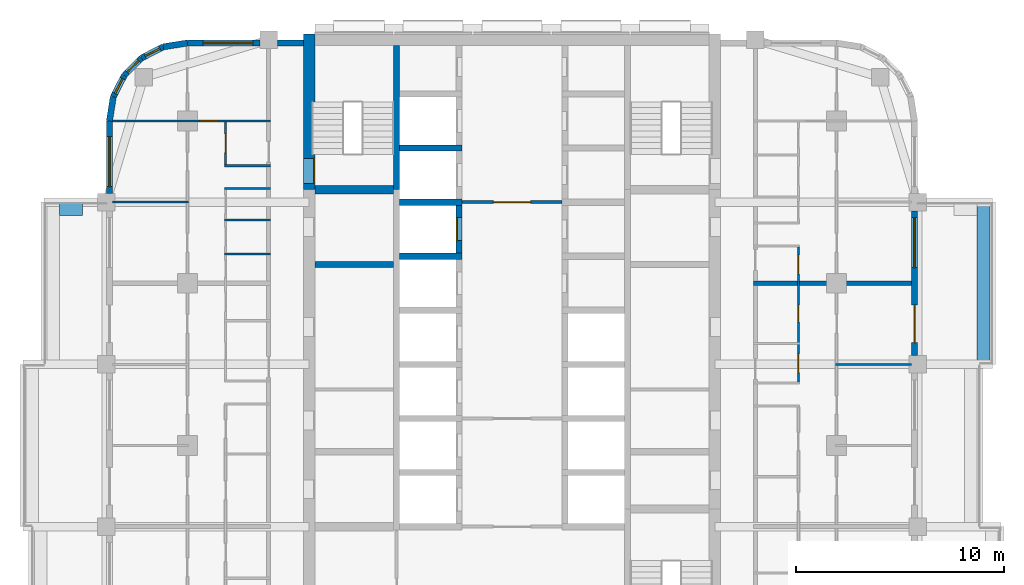
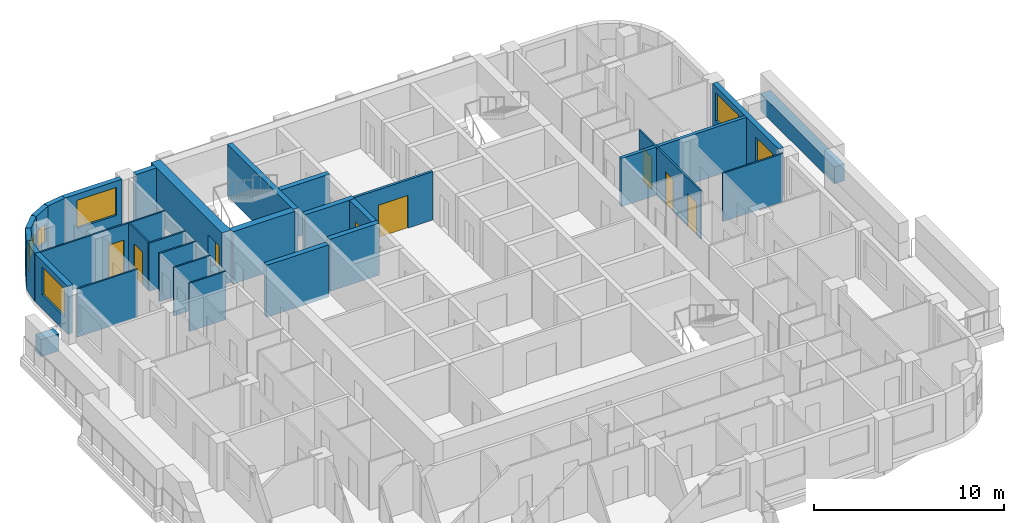
# One storey, part 8 of 14: 30 walls, 9 doors, 6 windows, 15 openings.
"""IFC4 building model written with IfcOpenShell, lengths in metres."""

from ifc_helpers import new_model, si_unit, direction, frame, frame_2d, origin, place, context, subcontext, project, spatial, rectangle, extrude, material, layer, layer_set, type_object, element, fill, save


model = new_model("IFC4")

# Units and contexts
model_context = context("Model", 3, precision=1e-05, world=origin(), true_north=direction((0.0, 1.0)))
body_context = subcontext(model_context, "Body", "Model", "MODEL_VIEW")
ifc_project = project(units=[si_unit("LENGTHUNIT", "METRE"), si_unit("AREAUNIT", "SQUARE_METRE"), si_unit("VOLUMEUNIT", "CUBIC_METRE"), si_unit("PLANEANGLEUNIT", "RADIAN"), si_unit("MASSUNIT", "GRAM", prefix="KILO")], contexts=[model_context])

# Site, building, storey
site_placement = place(None, origin())
site = spatial("IfcSite", under=ifc_project, at=site_placement, CompositionType="ELEMENT")
building_placement = place(site_placement, origin())
building = spatial("IfcBuilding", under=site, at=building_placement, Name="Ludao Terraces", CompositionType="ELEMENT")
storey_placement = place(building_placement, frame((0.0, 0.0, 113.5)))
storey = spatial("IfcBuildingStorey", under=building, at=storey_placement, Name="L31", CompositionType="ELEMENT", Elevation=113.5)

# Wall, opening, door
ifc_material_1 = material(Name="Concrete C60", Category="concrete")
ifc_layer_1 = layer(ifc_material_1, 0.550048828125)
ifc_layer_set_1 = layer_set([ifc_layer_1], Name="Core wall 550 C60")
wall_type_1 = type_object("IfcWallType", Name="Core wall 550 C60", PredefinedType="SOLIDWALL", material=ifc_layer_set_1)
wall_1_placement = place(storey_placement, frame((75.25, 77.300048828125, -0.25), z_axis=(0.0, 0.0, 1.0), x_axis=(0.0, 1.0, 0.0)))
wall_1 = element("IfcWall", 1, at=wall_1_placement, inside=storey, type_object=wall_type_1, Name="Core wall L31 outer-W-S1", PredefinedType="SOLIDWALL", context=body_context, shape_type="SweptSolid", body=[
    extrude(rectangle(XDim=7.474853515625, YDim=0.550048828125, at=frame_2d((3.7373046875, 0.0))), origin(), (0.0, 0.0, 1.0), 3.35009765625),
])
opening_1_placement = place(wall_1_placement, frame((0.300048828125, 0.0, 0.25)))
opening_1 = element("IfcOpeningElement", 2, at=opening_1_placement, cuts=wall_1, Name="Opening R09-087", PredefinedType="OPENING", context=body_context, shape_type="SweptSolid", body=[
    extrude(rectangle(XDim=1.199951171875, YDim=2.10009765625, at=frame_2d((0.60009765625, 1.050048828125))), frame((0.0, 0.28515625, 0.0), z_axis=(0.0, -1.0, 0.0), x_axis=(1.0, 0.0, 0.0)), (0.0, 0.0, 1.0), 0.570068359375),
])
ifc_material_2 = material(Name="Steel Q235", Category="steel")
door_type_1 = type_object("IfcDoorType", Name="INT Stair door 1200", OperationType="DOUBLE_DOOR_SINGLE_SWING", PredefinedType="DOOR", material=ifc_material_2)
door_1_placement = place(opening_1_placement, origin())
door_1 = element("IfcDoor", 3, at=door_1_placement, inside=storey, type_object=door_type_1, Name="DOOR 087", OperationType="DOUBLE_DOOR_SINGLE_SWING", OverallHeight=2.10009765625, OverallWidth=1.199951171875, PredefinedType="DOOR", context=body_context, shape_type="SweptSolid", body=[
    extrude(rectangle(XDim=1.199951171875, YDim=2.10009765625, at=frame_2d((0.60009765625, 1.050048828125))), frame((0.0, -0.2099609375, 0.0), z_axis=(0.0, -1.0, 0.0), x_axis=(1.0, 0.0, 0.0)), (0.0, 0.0, 1.0), 0.050048828125),
])
fill(opening_1, door_1)

# Walls
ifc_material_3 = material(Name="Concrete C40", Category="concrete")
ifc_layer_2 = layer(ifc_material_3, 0.60009765625)
ifc_layer_set_2 = layer_set([ifc_layer_2], Name="ENV Planter trough 600")
wall_type_2 = type_object("IfcWallType", Name="ENV Planter trough 600", PredefinedType="USERDEFINED", material=ifc_layer_set_2)
wall_2_placement = place(storey_placement, frame((107.64990234375, 68.89990234375, 0.0), z_axis=(0.0, 0.0, 1.0), x_axis=(0.0, 1.0, 0.0)))
element("IfcWall", 4, at=wall_2_placement, inside=storey, type_object=wall_type_2, Name="PL-L31-E3", ObjectType="PLANTER", PredefinedType="USERDEFINED", context=body_context, shape_type="SweptSolid", body=[
    extrude(rectangle(XDim=7.800048828125, YDim=0.60009765625, at=frame_2d((3.89990234375, 0.0))), origin(), (0.0, 0.0, 1.0), 1.10009765625),
])
wall_3_placement = place(storey_placement, frame((63.25, 76.35009765625, 0.0), z_axis=(0.0, 0.0, 1.0), x_axis=(1.0, 0.0, 0.0)))
element("IfcWall", 5, at=wall_3_placement, inside=storey, type_object=wall_type_2, Name="PL-L31-W3-SB", ObjectType="PLANTER", PredefinedType="USERDEFINED", context=body_context, shape_type="SweptSolid", body=[
    extrude(rectangle(XDim=1.10009765625, YDim=0.60009765625, at=frame_2d((0.550048828125, 0.0))), origin(), (0.0, 0.0, 1.0), 1.10009765625),
])

# Wall, openings, door, window
ifc_material_4 = material(Name="Granite cladding", Category="masonry")
ifc_layer_3 = layer(ifc_material_4, 0.0400390625, Category="stone")
ifc_material_5 = material(Name="Mineral wool")
ifc_layer_4 = layer(ifc_material_5, 0.06005859375)
ifc_layer_5 = layer(ifc_material_3, 0.199951171875, Category="concrete")
ifc_layer_set_3 = layer_set([ifc_layer_3, ifc_layer_4, ifc_layer_5], Name="ENV Stone-clad wall 300")
wall_type_3 = type_object("IfcWallType", Name="ENV Stone-clad wall 300", PredefinedType="SOLIDWALL", material=ifc_layer_set_3)
wall_4_placement = place(storey_placement, frame((104.35009765625, 69.324951171875, 0.0), z_axis=(0.0, 0.0, 1.0), x_axis=(0.0, 1.0, 0.0)))
wall_4 = element("IfcWall", 6, at=wall_4_placement, inside=storey, type_object=wall_type_3, Name="EW-L31-E4", PredefinedType="SOLIDWALL", context=body_context, shape_type="SweptSolid", body=[
    extrude(rectangle(XDim=6.949951171875, YDim=0.300048828125, at=frame_2d((3.47509765625, 0.0))), origin(), (0.0, 0.0, 1.0), 3.10009765625),
])
opening_2_placement = place(wall_4_placement, frame((0.625, 0.0, 0.0)))
opening_2 = element("IfcOpeningElement", 7, at=opening_2_placement, cuts=wall_4, Name="Opening BD", PredefinedType="OPENING", context=body_context, shape_type="SweptSolid", body=[
    extrude(rectangle(XDim=1.800048828125, YDim=2.39990234375, at=frame_2d((0.89990234375, 1.199951171875))), frame((0.0, 0.16015625, 0.0), z_axis=(0.0, -1.0, 0.0), x_axis=(1.0, 0.0, 0.0)), (0.0, 0.0, 1.0), 0.320068359375),
])
opening_3_placement = place(wall_4_placement, frame((4.22509765625, 0.0, 0.89990234375)))
opening_3 = element("IfcOpeningElement", 8, at=opening_3_placement, cuts=wall_4, Name="Opening W1", PredefinedType="OPENING", context=body_context, shape_type="SweptSolid", body=[
    extrude(rectangle(XDim=2.39990234375, YDim=1.800048828125, at=frame_2d((1.199951171875, 0.89990234375))), frame((0.0, 0.16015625, 0.0), z_axis=(0.0, -1.0, 0.0), x_axis=(1.0, 0.0, 0.0)), (0.0, 0.0, 1.0), 0.320068359375),
])
ifc_material_6 = material(Name="Aluminium glazed door", Category="aluminium")
ifc_layer_6 = layer(ifc_material_6, 0.06005859375)
ifc_layer_set_4 = layer_set([ifc_layer_6], Name="ENV Balcony door BD 1800x2400")
door_type_2 = type_object("IfcDoorType", Name="ENV Balcony door BD 1800x2400", OperationType="DOUBLE_DOOR_SINGLE_SWING", PredefinedType="DOOR", material=ifc_layer_set_4)
door_2_placement = place(opening_2_placement, origin())
door_2 = element("IfcDoor", 9, at=door_2_placement, inside=storey, type_object=door_type_2, Name="BD-L31-E4-1", OperationType="DOUBLE_DOOR_SINGLE_SWING", OverallHeight=2.39990234375, OverallWidth=1.800048828125, PredefinedType="DOOR", context=body_context, shape_type="SweptSolid", body=[
    extrude(rectangle(XDim=1.800048828125, YDim=2.39990234375, at=frame_2d((0.89990234375, 1.199951171875))), frame((0.0, 0.02490234375, 0.0), z_axis=(0.0, -1.0, 0.0), x_axis=(1.0, 0.0, 0.0)), (0.0, 0.0, 1.0), 0.050048828125),
])
fill(opening_2, door_2)
ifc_material_7 = material(Name="Clear glass in aluminium frame", Category="aluminium")
ifc_layer_7 = layer(ifc_material_7, 0.06005859375)
ifc_layer_set_5 = layer_set([ifc_layer_7], Name="ENV Window W1 2400x1800")
window_type_1 = type_object("IfcWindowType", Name="ENV Window W1 2400x1800", PartitioningType="DOUBLE_PANEL_VERTICAL", PredefinedType="WINDOW", material=ifc_layer_set_5)
window_1_placement = place(opening_3_placement, origin())
window_1 = element("IfcWindow", 10, at=window_1_placement, inside=storey, type_object=window_type_1, Name="W-L31-E4-2", OverallHeight=1.800048828125, OverallWidth=2.39990234375, PartitioningType="DOUBLE_PANEL_VERTICAL", PredefinedType="WINDOW", context=body_context, shape_type="SweptSolid", body=[
    extrude(rectangle(XDim=2.39990234375, YDim=1.800048828125, at=frame_2d((1.199951171875, 0.89990234375))), frame((0.0, 0.030029296875, 0.0), z_axis=(0.0, -1.0, 0.0), x_axis=(1.0, 0.0, 0.0)), (0.0, 0.0, 1.0), 0.06005859375),
])
fill(opening_3, window_1)

# Wall, opening, window
wall_5_placement = place(storey_placement, frame((69.39990234375, 84.35009765625, 0.0), z_axis=(0.0, 0.0, 1.0), x_axis=(1.0, 0.0, 0.0)))
wall_5 = element("IfcWall", 11, at=wall_5_placement, inside=storey, type_object=wall_type_3, Name="EW-L31-N1", PredefinedType="SOLIDWALL", context=body_context, shape_type="SweptSolid", body=[
    extrude(rectangle(XDim=3.47509765625, YDim=0.300048828125, at=frame_2d((1.737548828125, 0.0))), origin(), (0.0, 0.0, 1.0), 3.10009765625),
])
opening_4_placement = place(wall_5_placement, frame((0.75, 0.0, 0.89990234375)))
opening_4 = element("IfcOpeningElement", 12, at=opening_4_placement, cuts=wall_5, Name="Opening W1", PredefinedType="OPENING", context=body_context, shape_type="SweptSolid", body=[
    extrude(rectangle(XDim=2.39990234375, YDim=1.800048828125, at=frame_2d((1.199951171875, 0.89990234375))), frame((0.0, 0.16015625, 0.0), z_axis=(0.0, -1.0, 0.0), x_axis=(1.0, 0.0, 0.0)), (0.0, 0.0, 1.0), 0.320068359375),
])
window_2_placement = place(opening_4_placement, origin())
window_2 = element("IfcWindow", 13, at=window_2_placement, inside=storey, type_object=window_type_1, Name="W-L31-N1-1", OverallHeight=1.800048828125, OverallWidth=2.39990234375, PartitioningType="DOUBLE_PANEL_VERTICAL", PredefinedType="WINDOW", context=body_context, shape_type="SweptSolid", body=[
    extrude(rectangle(XDim=2.39990234375, YDim=1.800048828125, at=frame_2d((1.199951171875, 0.89990234375))), frame((0.0, 0.030029296875, 0.0), z_axis=(0.0, -1.0, 0.0), x_axis=(1.0, 0.0, 0.0)), (0.0, 0.0, 1.0), 0.06005859375),
])
fill(opening_4, window_2)

# Wall
wall_6_placement = place(storey_placement, frame((73.72509765625, 84.35009765625, 0.0), z_axis=(0.0, 0.0, 1.0), x_axis=(1.0, 0.0, 0.0)))
element("IfcWall", 14, at=wall_6_placement, inside=storey, type_object=wall_type_3, Name="EW-L31-N2", PredefinedType="SOLIDWALL", context=body_context, shape_type="SweptSolid", body=[
    extrude(rectangle(XDim=1.25, YDim=0.300048828125, at=frame_2d((0.625, 0.0))), origin(), (0.0, 0.0, 1.0), 3.10009765625),
])

# Wall, opening, window
wall_7_placement = place(storey_placement, frame((65.64990234375, 77.125, 0.0), z_axis=(0.0, 0.0, 1.0), x_axis=(0.0, 1.0, 0.0)))
wall_7 = element("IfcWall", 15, at=wall_7_placement, inside=storey, type_object=wall_type_3, Name="EW-L31-W5", PredefinedType="SOLIDWALL", context=body_context, shape_type="SweptSolid", body=[
    extrude(rectangle(XDim=3.47509765625, YDim=0.300048828125, at=frame_2d((1.737548828125, 0.0))), origin(), (0.0, 0.0, 1.0), 3.10009765625),
])
opening_5_placement = place(wall_7_placement, frame((0.324951171875, 0.0, 0.89990234375)))
opening_5 = element("IfcOpeningElement", 16, at=opening_5_placement, cuts=wall_7, Name="Opening W1", PredefinedType="OPENING", context=body_context, shape_type="SweptSolid", body=[
    extrude(rectangle(XDim=2.39990234375, YDim=1.800048828125, at=frame_2d((1.199951171875, 0.89990234375))), frame((0.0, 0.16015625, 0.0), z_axis=(0.0, -1.0, 0.0), x_axis=(1.0, 0.0, 0.0)), (0.0, 0.0, 1.0), 0.320068359375),
])
window_3_placement = place(opening_5_placement, origin())
window_3 = element("IfcWindow", 17, at=window_3_placement, inside=storey, type_object=window_type_1, Name="W-L31-W5-1", OverallHeight=1.800048828125, OverallWidth=2.39990234375, PartitioningType="DOUBLE_PANEL_VERTICAL", PredefinedType="WINDOW", context=body_context, shape_type="SweptSolid", body=[
    extrude(rectangle(XDim=2.39990234375, YDim=1.800048828125, at=frame_2d((1.199951171875, 0.89990234375))), frame((0.0, 0.030029296875, 0.0), z_axis=(0.0, -1.0, 0.0), x_axis=(1.0, 0.0, 0.0)), (0.0, 0.0, 1.0), 0.06005859375),
])
fill(opening_5, window_3)

# Wall
wall_8_placement = place(storey_placement, frame((69.39990234375, 84.35009765625, 0.0), z_axis=(0.0, 0.0, 1.0), x_axis=(-0.987678452879, -0.156496880861, 0.0)))
element("IfcWall", 18, at=wall_8_placement, inside=storey, type_object=wall_type_3, Name="EW-L31-NW1", PredefinedType="SOLIDWALL", context=body_context, shape_type="SweptSolid", body=[
    extrude(rectangle(XDim=1.173095703125, YDim=0.300048828125, at=frame_2d((0.58642578125, 0.0))), origin(), (0.0, 0.0, 1.0), 3.10009765625),
])

# Wall, opening, window
wall_9_placement = place(storey_placement, frame((68.2412109375, 84.16650390625, 0.0), z_axis=(0.0, 0.0, 1.0), x_axis=(-0.890988677504, -0.454025524128, 0.0)))
wall_9 = element("IfcWall", 19, at=wall_9_placement, inside=storey, type_object=wall_type_3, Name="EW-L31-NW2", PredefinedType="SOLIDWALL", context=body_context, shape_type="SweptSolid", body=[
    extrude(rectangle(XDim=1.17333984375, YDim=0.300048828125, at=frame_2d((0.586669921875, 0.0))), origin(), (0.0, 0.0, 1.0), 3.10009765625),
])
opening_6_placement = place(wall_9_placement, frame((0.1865234375, 0.0, 0.89990234375)))
opening_6 = element("IfcOpeningElement", 20, at=opening_6_placement, cuts=wall_9, Name="Opening W3", PredefinedType="OPENING", context=body_context, shape_type="SweptSolid", body=[
    extrude(rectangle(XDim=0.800048828125, YDim=1.199951171875, at=frame_2d((0.39990234375, 0.60009765625))), frame((0.0, 0.16015625, 0.0), z_axis=(0.0, -1.0, 0.0), x_axis=(1.0, 0.0, 0.0)), (0.0, 0.0, 1.0), 0.320068359375),
])
ifc_layer_8 = layer(ifc_material_7, 0.06005859375)
ifc_layer_set_6 = layer_set([ifc_layer_8], Name="ENV Window W3 800x1200")
window_type_2 = type_object("IfcWindowType", Name="ENV Window W3 800x1200", PartitioningType="SINGLE_PANEL", PredefinedType="WINDOW", material=ifc_layer_set_6)
window_4_placement = place(opening_6_placement, origin())
window_4 = element("IfcWindow", 21, at=window_4_placement, inside=storey, type_object=window_type_2, Name="W-L31-NW2", OverallHeight=1.199951171875, OverallWidth=0.800048828125, PartitioningType="SINGLE_PANEL", PredefinedType="WINDOW", context=body_context, shape_type="SweptSolid", body=[
    extrude(rectangle(XDim=0.800048828125, YDim=1.199951171875, at=frame_2d((0.39990234375, 0.60009765625))), frame((0.0, 0.030029296875, 0.0), z_axis=(0.0, -1.0, 0.0), x_axis=(1.0, 0.0, 0.0)), (0.0, 0.0, 1.0), 0.06005859375),
])
fill(opening_6, window_4)

wall_10_placement = place(storey_placement, frame((67.19580078125, 83.6337890625, 0.0), z_axis=(0.0, 0.0, 1.0), x_axis=(-0.707106781187, -0.707106781187, 0.0)))
wall_10 = element("IfcWall", 22, at=wall_10_placement, inside=storey, type_object=wall_type_3, Name="EW-L31-NW3", PredefinedType="SOLIDWALL", context=body_context, shape_type="SweptSolid", body=[
    extrude(rectangle(XDim=1.173095703125, YDim=0.300048828125, at=frame_2d((0.58642578125, 0.0))), origin(), (0.0, 0.0, 1.0), 3.10009765625),
])
opening_7_placement = place(wall_10_placement, frame((0.1865234375, 0.0, 0.89990234375)))
opening_7 = element("IfcOpeningElement", 23, at=opening_7_placement, cuts=wall_10, Name="Opening W3", PredefinedType="OPENING", context=body_context, shape_type="SweptSolid", body=[
    extrude(rectangle(XDim=0.800048828125, YDim=1.199951171875, at=frame_2d((0.39990234375, 0.60009765625))), frame((0.0, 0.16015625, 0.0), z_axis=(0.0, -1.0, 0.0), x_axis=(1.0, 0.0, 0.0)), (0.0, 0.0, 1.0), 0.320068359375),
])
window_5_placement = place(opening_7_placement, origin())
window_5 = element("IfcWindow", 24, at=window_5_placement, inside=storey, type_object=window_type_2, Name="W-L31-NW3", OverallHeight=1.199951171875, OverallWidth=0.800048828125, PartitioningType="SINGLE_PANEL", PredefinedType="WINDOW", context=body_context, shape_type="SweptSolid", body=[
    extrude(rectangle(XDim=0.800048828125, YDim=1.199951171875, at=frame_2d((0.39990234375, 0.60009765625))), frame((0.0, 0.030029296875, 0.0), z_axis=(0.0, -1.0, 0.0), x_axis=(1.0, 0.0, 0.0)), (0.0, 0.0, 1.0), 0.06005859375),
])
fill(opening_7, window_5)

wall_11_placement = place(storey_placement, frame((66.3662109375, 82.80419921875, 0.0), z_axis=(0.0, 0.0, 1.0), x_axis=(-0.454025524128, -0.890988677504, 0.0)))
wall_11 = element("IfcWall", 25, at=wall_11_placement, inside=storey, type_object=wall_type_3, Name="EW-L31-NW4", PredefinedType="SOLIDWALL", context=body_context, shape_type="SweptSolid", body=[
    extrude(rectangle(XDim=1.17333984375, YDim=0.300048828125, at=frame_2d((0.586669921875, 0.0))), origin(), (0.0, 0.0, 1.0), 3.10009765625),
])
opening_8_placement = place(wall_11_placement, frame((0.1865234375, 0.0, 0.89990234375)))
opening_8 = element("IfcOpeningElement", 26, at=opening_8_placement, cuts=wall_11, Name="Opening W3", PredefinedType="OPENING", context=body_context, shape_type="SweptSolid", body=[
    extrude(rectangle(XDim=0.800048828125, YDim=1.199951171875, at=frame_2d((0.39990234375, 0.60009765625))), frame((0.0, 0.16015625, 0.0), z_axis=(0.0, -1.0, 0.0), x_axis=(1.0, 0.0, 0.0)), (0.0, 0.0, 1.0), 0.320068359375),
])
window_6_placement = place(opening_8_placement, origin())
window_6 = element("IfcWindow", 27, at=window_6_placement, inside=storey, type_object=window_type_2, Name="W-L31-NW4", OverallHeight=1.199951171875, OverallWidth=0.800048828125, PartitioningType="SINGLE_PANEL", PredefinedType="WINDOW", context=body_context, shape_type="SweptSolid", body=[
    extrude(rectangle(XDim=0.800048828125, YDim=1.199951171875, at=frame_2d((0.39990234375, 0.60009765625))), frame((0.0, 0.030029296875, 0.0), z_axis=(0.0, -1.0, 0.0), x_axis=(1.0, 0.0, 0.0)), (0.0, 0.0, 1.0), 0.06005859375),
])
fill(opening_8, window_6)

# Wall
wall_12_placement = place(storey_placement, frame((65.83349609375, 81.7587890625, 0.0), z_axis=(0.0, 0.0, 1.0), x_axis=(-0.156496880861, -0.987678452879, 0.0)))
element("IfcWall", 28, at=wall_12_placement, inside=storey, type_object=wall_type_3, Name="EW-L31-NW5", PredefinedType="SOLIDWALL", context=body_context, shape_type="SweptSolid", body=[
    extrude(rectangle(XDim=1.173095703125, YDim=0.300048828125, at=frame_2d((0.58642578125, 0.0))), origin(), (0.0, 0.0, 1.0), 3.10009765625),
])

# Wall, opening, door
ifc_material_8 = material(Name="Fire-rated gypsum plasterboard", Category="gypsum")
ifc_layer_9 = layer(ifc_material_8, 0.012451171875, Category="gypsum")
ifc_layer_10 = layer(ifc_material_5, 0.10009765625, Name="insulation")
ifc_layer_11 = layer(ifc_material_2, 0.02490234375, Name="stud")
ifc_layer_12 = layer(ifc_material_8, 0.012451171875, Category="gypsum")
ifc_layer_set_7 = layer_set([ifc_layer_9, ifc_layer_10, ifc_layer_11, ifc_layer_12], Name="INT Core partition 150")
wall_type_4 = type_object("IfcWallType", Name="INT Core partition 150", PredefinedType="PARTITIONING", material=ifc_layer_set_7)
wall_13_placement = place(storey_placement, frame((82.60009765625, 76.699951171875, 0.0), z_axis=(0.0, 0.0, 1.0), x_axis=(1.0, 0.0, 0.0)))
wall_13 = element("IfcWall", 29, at=wall_13_placement, inside=storey, type_object=wall_type_4, Name="PW-L31-PW042", PredefinedType="PARTITIONING", context=body_context, shape_type="SweptSolid", body=[
    extrude(rectangle(XDim=4.800048828125, YDim=0.14990234375, at=frame_2d((2.39990234375, 0.0))), origin(), (0.0, 0.0, 1.0), 3.10009765625),
])
opening_9_placement = place(wall_13_placement, frame((1.5, 0.0, 0.0)))
opening_9 = element("IfcOpeningElement", 30, at=opening_9_placement, cuts=wall_13, Name="Opening R09-083", PredefinedType="OPENING", context=body_context, shape_type="SweptSolid", body=[
    extrude(rectangle(XDim=1.800048828125, YDim=2.10009765625, at=frame_2d((0.89990234375, 1.050048828125))), frame((0.0, 0.0849609375, 0.0), z_axis=(0.0, -1.0, 0.0), x_axis=(1.0, 0.0, 0.0)), (0.0, 0.0, 1.0), 0.169921875),
])
door_type_3 = type_object("IfcDoorType", Name="INT Fire lobby door 1800", OperationType="DOUBLE_DOOR_SINGLE_SWING", PredefinedType="DOOR", material=ifc_material_2)
door_3_placement = place(opening_9_placement, origin())
door_3 = element("IfcDoor", 31, at=door_3_placement, inside=storey, type_object=door_type_3, Name="DOOR 083", OperationType="DOUBLE_DOOR_SINGLE_SWING", OverallHeight=2.10009765625, OverallWidth=1.800048828125, PredefinedType="DOOR", context=body_context, shape_type="SweptSolid", body=[
    extrude(rectangle(XDim=1.800048828125, YDim=2.10009765625, at=frame_2d((0.89990234375, 1.050048828125))), frame((0.0, 0.02490234375, 0.0), z_axis=(0.0, -1.0, 0.0), x_axis=(1.0, 0.0, 0.0)), (0.0, 0.0, 1.0), 0.050048828125),
])
fill(opening_9, door_3)

# Walls
ifc_material_9 = material(Name="Gypsum plasterboard", Category="gypsum")
ifc_layer_13 = layer(ifc_material_9, 0.012451171875, Category="gypsum")
ifc_layer_14 = layer(ifc_material_5, 0.06005859375, Name="insulation")
ifc_layer_15 = layer(ifc_material_2, 0.014892578125, Name="stud")
ifc_layer_16 = layer(ifc_material_9, 0.012451171875, Category="gypsum")
ifc_layer_set_8 = layer_set([ifc_layer_13, ifc_layer_14, ifc_layer_15, ifc_layer_16], Name="INT Partition 100")
wall_type_5 = type_object("IfcWallType", Name="INT Partition 100", PredefinedType="PARTITIONING", material=ifc_layer_set_8)
wall_14_placement = place(storey_placement, frame((100.550048828125, 68.89990234375, 0.0), z_axis=(0.0, 0.0, 1.0), x_axis=(1.0, 0.0, 0.0)))
element("IfcWall", 32, at=wall_14_placement, inside=storey, type_object=wall_type_5, Name="PW-L31-PW032", PredefinedType="PARTITIONING", context=body_context, shape_type="SweptSolid", body=[
    extrude(rectangle(XDim=3.650146484375, YDim=0.10009765625, at=frame_2d((1.8251953125, 0.0))), origin(), (0.0, 0.0, 1.0), 3.10009765625),
])
for number, where, z_axis, x_axis, name in (
    (33, (71.18017578125, 74.199951171875, 0.0), (0.0, 0.0, 1.0), (1.0, 0.0, 0.0), "PW-L31-PW037"),
    (34, (71.18017578125, 75.85009765625, 0.0), (0.0, 0.0, 1.0), (1.0, 0.0, 0.0), "PW-L31-PW040"),
):
    element("IfcWall", number, at=place(storey_placement, frame(where, z_axis=z_axis, x_axis=x_axis)), inside=storey, type_object=wall_type_5, Name=name, PredefinedType="PARTITIONING", context=body_context, shape_type="SweptSolid", body=[
        extrude(rectangle(XDim=2.219970703125, YDim=0.10009765625, at=frame_2d((1.10986328125, 0.0))), origin(), (0.0, 0.0, 1.0), 3.10009765625),
    ])
wall_15_placement = place(storey_placement, frame((65.800048828125, 76.699951171875, 0.0), z_axis=(0.0, 0.0, 1.0), x_axis=(1.0, 0.0, 0.0)))
element("IfcWall", 35, at=wall_15_placement, inside=storey, type_object=wall_type_5, Name="PW-L31-PW041", PredefinedType="PARTITIONING", context=body_context, shape_type="SweptSolid", body=[
    extrude(rectangle(XDim=3.650146484375, YDim=0.10009765625, at=frame_2d((1.8251953125, 0.0))), origin(), (0.0, 0.0, 1.0), 3.10009765625),
])
for number, where, z_axis, x_axis, name in (
    (36, (71.18017578125, 77.35009765625, 0.0), (0.0, 0.0, 1.0), (1.0, 0.0, 0.0), "PW-L31-PW045"),
    (37, (71.18017578125, 78.449951171875, 0.0), (0.0, 0.0, 1.0), (1.0, 0.0, 0.0), "PW-L31-PW046"),
):
    element("IfcWall", number, at=place(storey_placement, frame(where, z_axis=z_axis, x_axis=x_axis)), inside=storey, type_object=wall_type_5, Name=name, PredefinedType="PARTITIONING", context=body_context, shape_type="SweptSolid", body=[
        extrude(rectangle(XDim=2.219970703125, YDim=0.10009765625, at=frame_2d((1.10986328125, 0.0))), origin(), (0.0, 0.0, 1.0), 3.10009765625),
    ])

# Wall, opening, door
wall_16_placement = place(storey_placement, frame((65.800048828125, 80.60009765625, 0.0), z_axis=(0.0, 0.0, 1.0), x_axis=(1.0, 0.0, 0.0)))
wall_16 = element("IfcWall", 38, at=wall_16_placement, inside=storey, type_object=wall_type_5, Name="PW-L31-PW048", PredefinedType="PARTITIONING", context=body_context, shape_type="SweptSolid", body=[
    extrude(rectangle(XDim=7.60009765625, YDim=0.10009765625, at=frame_2d((3.800048828125, 0.0))), origin(), (0.0, 0.0, 1.0), 3.10009765625),
])
opening_10_placement = place(wall_16_placement, frame((4.18994140625, 0.0, 0.0)))
opening_10 = element("IfcOpeningElement", 39, at=opening_10_placement, cuts=wall_16, Name="Opening R09-094", PredefinedType="OPENING", context=body_context, shape_type="SweptSolid", body=[
    extrude(rectangle(XDim=0.89990234375, YDim=2.10009765625, at=frame_2d((0.449951171875, 1.050048828125))), frame((0.0, 0.06005859375, 0.0), z_axis=(0.0, -1.0, 0.0), x_axis=(1.0, 0.0, 0.0)), (0.0, 0.0, 1.0), 0.1201171875),
])
ifc_material_10 = material(Name="Timber door leaf", Category="wood")
door_type_4 = type_object("IfcDoorType", Name="INT Room door 900", OperationType="SINGLE_SWING_LEFT", PredefinedType="DOOR", material=ifc_material_10)
door_4_placement = place(opening_10_placement, origin())
door_4 = element("IfcDoor", 40, at=door_4_placement, inside=storey, type_object=door_type_4, Name="DOOR 094", OperationType="SINGLE_SWING_LEFT", OverallHeight=2.10009765625, OverallWidth=0.89990234375, PredefinedType="DOOR", context=body_context, shape_type="SweptSolid", body=[
    extrude(rectangle(XDim=0.89990234375, YDim=2.10009765625, at=frame_2d((0.449951171875, 1.050048828125))), frame((0.0, 0.02490234375, 0.0), z_axis=(0.0, -1.0, 0.0), x_axis=(1.0, 0.0, 0.0)), (0.0, 0.0, 1.0), 0.050048828125),
])
fill(opening_10, door_4)

wall_17_placement = place(storey_placement, frame((71.22998046875, 78.5, 0.0), z_axis=(0.0, 0.0, 1.0), x_axis=(0.0, 1.0, 0.0)))
wall_17 = element("IfcWall", 41, at=wall_17_placement, inside=storey, type_object=wall_type_5, Name="PW-L31-PW054", PredefinedType="PARTITIONING", context=body_context, shape_type="SweptSolid", body=[
    extrude(rectangle(XDim=2.050048828125, YDim=0.10009765625, at=frame_2d((1.02490234375, 0.0))), origin(), (0.0, 0.0, 1.0), 3.10009765625),
])
opening_11_placement = place(wall_17_placement, frame((0.5751953125, 0.0, 0.0)))
opening_11 = element("IfcOpeningElement", 42, at=opening_11_placement, cuts=wall_17, Name="Opening R09-092", PredefinedType="OPENING", context=body_context, shape_type="SweptSolid", body=[
    extrude(rectangle(XDim=0.89990234375, YDim=2.10009765625, at=frame_2d((0.449951171875, 1.050048828125))), frame((0.0, 0.06005859375, 0.0), z_axis=(0.0, -1.0, 0.0), x_axis=(1.0, 0.0, 0.0)), (0.0, 0.0, 1.0), 0.1201171875),
])
door_5_placement = place(opening_11_placement, origin())
door_5 = element("IfcDoor", 43, at=door_5_placement, inside=storey, type_object=door_type_4, Name="DOOR 092", OperationType="SINGLE_SWING_RIGHT", OverallHeight=2.10009765625, OverallWidth=0.89990234375, PredefinedType="DOOR", context=body_context, shape_type="SweptSolid", body=[
    extrude(rectangle(XDim=0.89990234375, YDim=2.10009765625, at=frame_2d((0.449951171875, 1.050048828125))), frame((0.0, 0.02490234375, 0.0), z_axis=(0.0, -1.0, 0.0), x_axis=(1.0, 0.0, 0.0)), (0.0, 0.0, 1.0), 0.050048828125),
])
fill(opening_11, door_5)

# Wall, openings, doors
wall_18_placement = place(storey_placement, frame((98.77001953125, 68.050048828125, 0.0), z_axis=(0.0, 0.0, 1.0), x_axis=(0.0, 1.0, 0.0)))
wall_18 = element("IfcWall", 44, at=wall_18_placement, inside=storey, type_object=wall_type_5, Name="PW-L31-PW075", PredefinedType="PARTITIONING", context=body_context, shape_type="SweptSolid", body=[
    extrude(rectangle(XDim=6.5, YDim=0.10009765625, at=frame_2d((3.25, 0.0))), origin(), (0.0, 0.0, 1.0), 3.10009765625),
])
opening_12_placement = place(wall_18_placement, frame((0.449951171875, 0.0, 0.0)))
opening_12 = element("IfcOpeningElement", 45, at=opening_12_placement, cuts=wall_18, Name="Opening R09-060", PredefinedType="OPENING", context=body_context, shape_type="SweptSolid", body=[
    extrude(rectangle(XDim=0.89990234375, YDim=2.10009765625, at=frame_2d((0.449951171875, 1.050048828125))), frame((0.0, 0.06005859375, 0.0), z_axis=(0.0, -1.0, 0.0), x_axis=(1.0, 0.0, 0.0)), (0.0, 0.0, 1.0), 0.1201171875),
])
opening_13_placement = place(wall_18_placement, frame((2.89990234375, 0.0, 0.0)))
opening_13 = element("IfcOpeningElement", 46, at=opening_13_placement, cuts=wall_18, Name="Opening R09-067", PredefinedType="OPENING", context=body_context, shape_type="SweptSolid", body=[
    extrude(rectangle(XDim=0.800048828125, YDim=2.10009765625, at=frame_2d((0.39990234375, 1.050048828125))), frame((0.0, 0.06005859375, 0.0), z_axis=(0.0, -1.0, 0.0), x_axis=(1.0, 0.0, 0.0)), (0.0, 0.0, 1.0), 0.1201171875),
])
opening_14_placement = place(wall_18_placement, frame((5.199951171875, 0.0, 0.0)))
opening_14 = element("IfcOpeningElement", 47, at=opening_14_placement, cuts=wall_18, Name="Opening R09-072", PredefinedType="OPENING", context=body_context, shape_type="SweptSolid", body=[
    extrude(rectangle(XDim=0.89990234375, YDim=2.10009765625, at=frame_2d((0.449951171875, 1.050048828125))), frame((0.0, 0.06005859375, 0.0), z_axis=(0.0, -1.0, 0.0), x_axis=(1.0, 0.0, 0.0)), (0.0, 0.0, 1.0), 0.1201171875),
])
door_type_5 = type_object("IfcDoorType", Name="INT Bathroom door 900", OperationType="SINGLE_SWING_LEFT", PredefinedType="DOOR", material=ifc_material_10)
door_6_placement = place(opening_12_placement, origin())
door_6 = element("IfcDoor", 48, at=door_6_placement, inside=storey, type_object=door_type_5, Name="DOOR 060", OperationType="SINGLE_SWING_RIGHT", OverallHeight=2.10009765625, OverallWidth=0.89990234375, PredefinedType="DOOR", context=body_context, shape_type="SweptSolid", body=[
    extrude(rectangle(XDim=0.89990234375, YDim=2.10009765625, at=frame_2d((0.449951171875, 1.050048828125))), frame((0.0, 0.02490234375, 0.0), z_axis=(0.0, -1.0, 0.0), x_axis=(1.0, 0.0, 0.0)), (0.0, 0.0, 1.0), 0.050048828125),
])
fill(opening_12, door_6)
door_7_placement = place(opening_14_placement, origin())
door_7 = element("IfcDoor", 49, at=door_7_placement, inside=storey, type_object=door_type_5, Name="DOOR 072", OperationType="SINGLE_SWING_LEFT", OverallHeight=2.10009765625, OverallWidth=0.89990234375, PredefinedType="DOOR", context=body_context, shape_type="SweptSolid", body=[
    extrude(rectangle(XDim=0.89990234375, YDim=2.10009765625, at=frame_2d((0.449951171875, 1.050048828125))), frame((0.0, 0.02490234375, 0.0), z_axis=(0.0, -1.0, 0.0), x_axis=(1.0, 0.0, 0.0)), (0.0, 0.0, 1.0), 0.050048828125),
])
fill(opening_14, door_7)
door_type_6 = type_object("IfcDoorType", Name="INT Store door 800", OperationType="SINGLE_SWING_LEFT", PredefinedType="DOOR", material=ifc_material_10)
door_8_placement = place(opening_13_placement, origin())
door_8 = element("IfcDoor", 50, at=door_8_placement, inside=storey, type_object=door_type_6, Name="DOOR 067", OperationType="SINGLE_SWING_LEFT", OverallHeight=2.10009765625, OverallWidth=0.800048828125, PredefinedType="DOOR", context=body_context, shape_type="SweptSolid", body=[
    extrude(rectangle(XDim=0.800048828125, YDim=2.10009765625, at=frame_2d((0.39990234375, 1.050048828125))), frame((0.0, 0.02490234375, 0.0), z_axis=(0.0, -1.0, 0.0), x_axis=(1.0, 0.0, 0.0)), (0.0, 0.0, 1.0), 0.050048828125),
])
fill(opening_13, door_8)

# Walls
ifc_material_11 = material(Name="Autoclaved aerated concrete block B06 A3.5", Category="concrete")
ifc_layer_17 = layer(ifc_material_11, 0.199951171875)
ifc_layer_set_9 = layer_set([ifc_layer_17], Name="INT Party wall 200")
wall_type_6 = type_object("IfcWallType", Name="INT Party wall 200", PredefinedType="PARTITIONING", material=ifc_layer_set_9)
wall_19_placement = place(storey_placement, frame((96.60009765625, 72.800048828125, 0.0), z_axis=(0.0, 0.0, 1.0), x_axis=(1.0, 0.0, 0.0)))
element("IfcWall", 51, at=wall_19_placement, inside=storey, type_object=wall_type_6, Name="PW-L31-PW036", PredefinedType="PARTITIONING", context=body_context, shape_type="SweptSolid", body=[
    extrude(rectangle(XDim=7.60009765625, YDim=0.199951171875, at=frame_2d((3.800048828125, 0.0))), origin(), (0.0, 0.0, 1.0), 3.10009765625),
])
ifc_material_12 = material(Name="Concrete C55", Category="concrete")
ifc_layer_18 = layer(ifc_material_12, 0.300048828125)
ifc_layer_set_10 = layer_set([ifc_layer_18], Name="Shaft wall 300 C55")
wall_type_7 = type_object("IfcWallType", Name="Shaft wall 300 C55", PredefinedType="SOLIDWALL", material=ifc_layer_set_10)
wall_20_placement = place(storey_placement, frame((79.449951171875, 77.300048828125, -0.25), z_axis=(0.0, 0.0, 1.0), x_axis=(0.0, 1.0, 0.0)))
element("IfcWall", 52, at=wall_20_placement, inside=storey, type_object=wall_type_7, Name="Core wall L31 back-W-S1", PredefinedType="SOLIDWALL", context=body_context, shape_type="SweptSolid", body=[
    extrude(rectangle(XDim=6.925048828125, YDim=0.300048828125, at=frame_2d((3.46240234375, 0.0))), origin(), (0.0, 0.0, 1.0), 3.35009765625),
])
wall_21_placement = place(storey_placement, frame((79.60009765625, 74.10009765625, -0.25), z_axis=(0.0, 0.0, 1.0), x_axis=(1.0, 0.0, 0.0)))
element("IfcWall", 53, at=wall_21_placement, inside=storey, type_object=wall_type_7, Name="Core wall L31 div-W6", PredefinedType="SOLIDWALL", context=body_context, shape_type="SweptSolid", body=[
    extrude(rectangle(XDim=3.0, YDim=0.300048828125, at=frame_2d((1.5, 0.0))), origin(), (0.0, 0.0, 1.0), 3.35009765625),
])

# Wall, opening, door
wall_22_placement = place(storey_placement, frame((82.449951171875, 74.25, -0.25), z_axis=(0.0, 0.0, 1.0), x_axis=(0.0, 1.0, 0.0)))
wall_22 = element("IfcWall", 54, at=wall_22_placement, inside=storey, type_object=wall_type_7, Name="Core wall L31 front-W6", PredefinedType="SOLIDWALL", context=body_context, shape_type="SweptSolid", body=[
    extrude(rectangle(XDim=2.300048828125, YDim=0.300048828125, at=frame_2d((1.14990234375, 0.0))), origin(), (0.0, 0.0, 1.0), 3.35009765625),
])
opening_15_placement = place(wall_22_placement, frame((0.60009765625, 0.0, 0.25)))
opening_15 = element("IfcOpeningElement", 55, at=opening_15_placement, cuts=wall_22, Name="Opening LD-LA6", PredefinedType="OPENING", context=body_context, shape_type="SweptSolid", body=[
    extrude(rectangle(XDim=1.10009765625, YDim=2.10009765625, at=frame_2d((0.550048828125, 1.050048828125))), frame((0.0, 0.16015625, 0.0), z_axis=(0.0, -1.0, 0.0), x_axis=(1.0, 0.0, 0.0)), (0.0, 0.0, 1.0), 0.320068359375),
])
ifc_material_13 = material(Name="Stainless steel 304", Category="steel")
door_type_7 = type_object("IfcDoorType", Name="INT Lift landing door 1100", OperationType="SLIDING_TO_LEFT", PredefinedType="DOOR", material=ifc_material_13)
door_9_placement = place(opening_15_placement, origin())
door_9 = element("IfcDoor", 56, at=door_9_placement, inside=storey, type_object=door_type_7, Name="LANDING DOOR LA6 L31", OperationType="SLIDING_TO_LEFT", OverallHeight=2.10009765625, OverallWidth=1.10009765625, PredefinedType="DOOR", context=body_context, shape_type="SweptSolid", body=[
    extrude(rectangle(XDim=1.10009765625, YDim=2.10009765625, at=frame_2d((0.550048828125, 1.050048828125))), frame((0.0, 0.13525390625, 0.0), z_axis=(0.0, -1.0, 0.0), x_axis=(1.0, 0.0, 0.0)), (0.0, 0.0, 1.0), 0.050048828125),
])
fill(opening_15, door_9)

# Walls
for number, where, z_axis, x_axis, name in (
    (57, (79.60009765625, 76.699951171875, -0.25), (0.0, 0.0, 1.0), (1.0, 0.0, 0.0), "Core wall L31 div-W7"),
    (58, (79.60009765625, 79.300048828125, -0.25), (0.0, 0.0, 1.0), (1.0, 0.0, 0.0), "Core wall L31 div-W8"),
):
    element("IfcWall", number, at=place(storey_placement, frame(where, z_axis=z_axis, x_axis=x_axis)), inside=storey, type_object=wall_type_7, Name=name, PredefinedType="SOLIDWALL", context=body_context, shape_type="SweptSolid", body=[
        extrude(rectangle(XDim=3.0, YDim=0.300048828125, at=frame_2d((1.5, 0.0))), origin(), (0.0, 0.0, 1.0), 3.35009765625),
    ])
wall_23_placement = place(storey_placement, frame((75.52490234375, 73.699951171875, -0.25), z_axis=(0.0, 0.0, 1.0), x_axis=(1.0, 0.0, 0.0)))
element("IfcWall", 59, at=wall_23_placement, inside=storey, type_object=wall_type_7, Name="Core wall L31 riser-b-W", PredefinedType="SOLIDWALL", context=body_context, shape_type="SweptSolid", body=[
    extrude(rectangle(XDim=3.775146484375, YDim=0.300048828125, at=frame_2d((1.8876953125, 0.0))), origin(), (0.0, 0.0, 1.0), 3.35009765625),
])
ifc_layer_19 = layer(ifc_material_12, 0.39990234375)
ifc_layer_set_11 = layer_set([ifc_layer_19], Name="Shaft wall 400 C55")
wall_type_8 = type_object("IfcWallType", Name="Shaft wall 400 C55", PredefinedType="SOLIDWALL", material=ifc_layer_set_11)
wall_24_placement = place(storey_placement, frame((75.52490234375, 77.300048828125, -0.25), z_axis=(0.0, 0.0, 1.0), x_axis=(1.0, 0.0, 0.0)))
element("IfcWall", 60, at=wall_24_placement, inside=storey, type_object=wall_type_8, Name="Core wall L31 stair-W", PredefinedType="SOLIDWALL", context=body_context, shape_type="SweptSolid", body=[
    extrude(rectangle(XDim=3.775146484375, YDim=0.39990234375, at=frame_2d((1.8876953125, 0.0))), origin(), (0.0, 0.0, 1.0), 3.35009765625),
])

save(model, "model.ifc")
